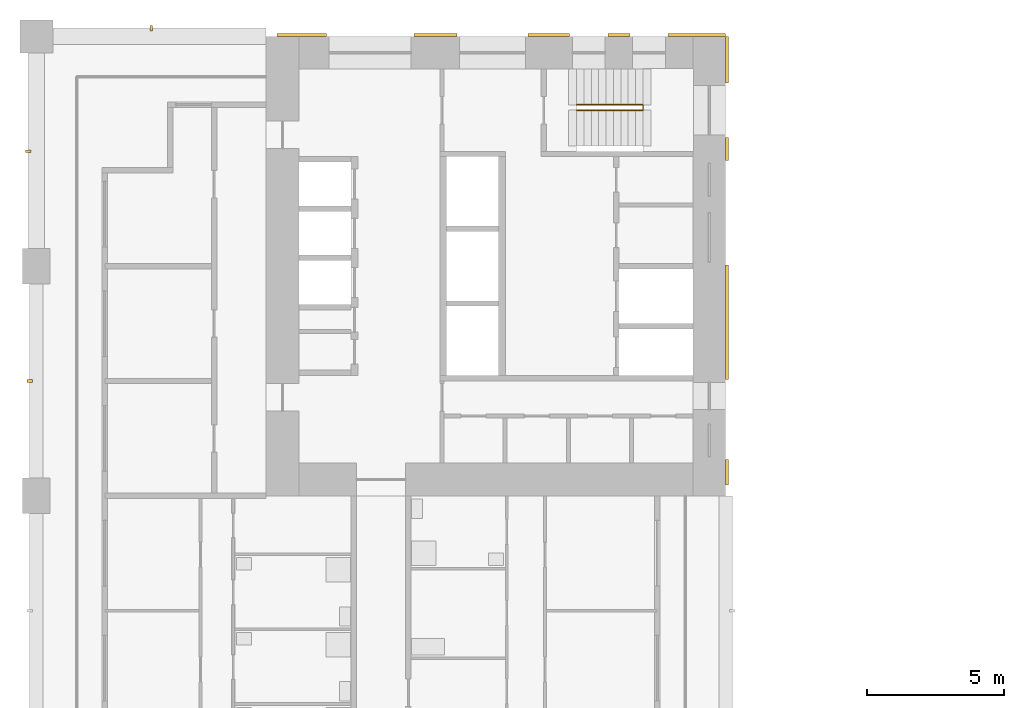
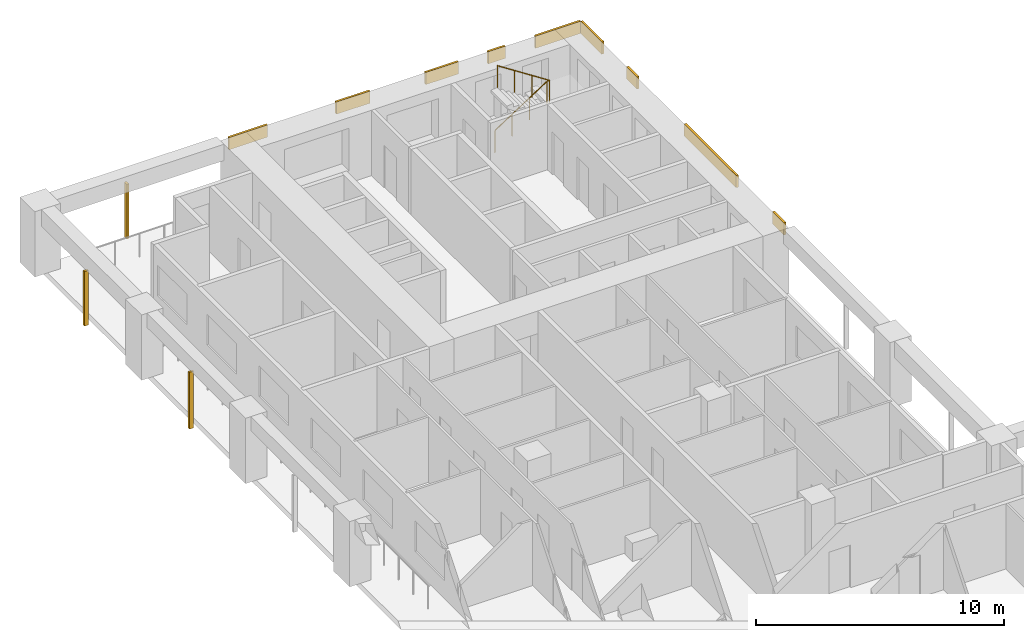
# One storey, part 15 of 17: 12 shading devices, 1 railing.
"""IFC4 building model written with IfcOpenShell, lengths in metres."""

from ifc_helpers import new_model, si_unit, direction, frame, origin, origin_2d, place, context, subcontext, project, spatial, rectangle, circle, extrude, material, layer, layer_set, material_profile, profile_set, type_object, element, save


model = new_model("IFC4")

# Units and contexts
model_context = context("Model", 3, precision=1e-05, world=origin(), true_north=direction((0.0, 1.0)))
body_context = subcontext(model_context, "Body", "Model", "MODEL_VIEW")
ifc_project = project(units=[si_unit("LENGTHUNIT", "METRE"), si_unit("AREAUNIT", "SQUARE_METRE"), si_unit("VOLUMEUNIT", "CUBIC_METRE"), si_unit("PLANEANGLEUNIT", "RADIAN"), si_unit("MASSUNIT", "GRAM", prefix="KILO")], contexts=[model_context])

# Site, building, storey
site_placement = place(None, origin())
site = spatial("IfcSite", under=ifc_project, at=site_placement, CompositionType="ELEMENT")
building_placement = place(site_placement, origin())
building = spatial("IfcBuilding", under=site, at=building_placement, Name="Vermilion Gate Residences", CompositionType="ELEMENT")
storey_placement = place(building_placement, frame((0.0, 0.0, 98.699951171875)))
storey = spatial("IfcBuildingStorey", under=building, at=storey_placement, Name="L24", CompositionType="ELEMENT", Elevation=98.699951171875)

# Railing
ifc_material_1 = material(Name="Steel S355", Category="steel")
railing_type = type_object("IfcRailingType", Name="STAIR GUARD 1100 STEEL", PredefinedType="GUARDRAIL", material=ifc_material_1)
railing_placement = place(storey_placement, frame((19.75, 56.300048828125, 0.175048828125)))
element("IfcRailing", 1, at=railing_placement, inside=storey, type_object=railing_type, Name="Stair well guard STB1-24", PredefinedType="GUARDRAIL", context=body_context, shape_type="SweptSolid", body=[
    extrude(circle(Radius=0.02392578125, at=origin_2d()), frame((0.0, 0.0, 1.076171875), z_axis=(0.839153699163, 0.0, 0.543894354798), x_axis=(0.0, 1.0, 0.0)), (0.0, 0.0, 1.0), 2.895751953125),
    extrude(circle(Radius=0.02392578125, at=origin_2d()), frame((2.429931640625, 0.0, 2.65087890625), z_axis=(0.0, -0.752405939678, 0.658699705433), x_axis=(1.0, 0.0, 0.0)), (0.0, 0.0, 1.0), 0.265869140625),
    extrude(circle(Radius=0.02392578125, at=origin_2d()), frame((2.429931640625, -0.199951171875, 2.826171875), z_axis=(-0.839153699163, 0.0, 0.543894354798), x_axis=(0.0, -1.0, 0.0)), (0.0, 0.0, 1.0), 2.895751953125),
    extrude(circle(Radius=0.02099609375, at=origin_2d()), origin(), (0.0, 0.0, 1.0), 1.052001953125),
    extrude(circle(Radius=0.02099609375, at=origin_2d()), frame((0.81005859375, 0.0, 0.52490234375)), (0.0, 0.0, 1.0), 1.052001953125),
    extrude(circle(Radius=0.02099609375, at=origin_2d()), frame((1.619873046875, 0.0, 1.050048828125)), (0.0, 0.0, 1.0), 1.052001953125),
    extrude(circle(Radius=0.02099609375, at=origin_2d()), frame((2.429931640625, 0.0, 1.574951171875)), (0.0, 0.0, 1.0), 1.052001953125),
    extrude(circle(Radius=0.02099609375, at=origin_2d()), frame((2.429931640625, -0.199951171875, 1.75)), (0.0, 0.0, 1.0), 1.052001953125),
    extrude(circle(Radius=0.02099609375, at=origin_2d()), frame((1.619873046875, -0.199951171875, 2.27490234375)), (0.0, 0.0, 1.0), 1.052001953125),
    extrude(circle(Radius=0.02099609375, at=origin_2d()), frame((0.81005859375, -0.199951171875, 2.800048828125)), (0.0, 0.0, 1.0), 1.052001953125),
    extrude(circle(Radius=0.02099609375, at=origin_2d()), frame((0.0, -0.199951171875, 3.324951171875)), (0.0, 0.0, 1.0), 1.052001953125),
])

# Shading devices
ifc_material_2 = material(Name="Extruded terracotta", Category="masonry")
ifc_material_profile = material_profile(ifc_material_2, rectangle(XDim=0.199951171875, YDim=0.10009765625, at=origin_2d()), Name="BAGUETTE 100 X 200")
ifc_profile_set = profile_set([ifc_material_profile], Name="Extruded terracotta")
shading_device_type_1 = type_object("IfcShadingDeviceType", Name="TERRACOTTA BAGUETTE 100 X 200", PredefinedType="JALOUSIE", material=ifc_profile_set)
shading_device_1_placement = place(storey_placement, frame((4.199951171875, 59.10009765625, -0.280029296875), z_axis=(0.0, 0.0, 1.0), x_axis=(0.0, -1.0, 0.0)))
element("IfcShadingDevice", 2, at=shading_device_1_placement, inside=storey, type_object=shading_device_type_1, Name="BAGUETTE", PredefinedType="JALOUSIE", context=body_context, shape_type="SweptSolid", body=[
    extrude(rectangle(XDim=0.199951171875, YDim=0.10009765625, at=origin_2d()), origin(), (0.0, 0.0, 1.0), 2.7001953125),
])
shading_device_2_placement = place(storey_placement, frame((-0.25, 46.199951171875, -0.280029296875), z_axis=(0.0, 0.0, 1.0), x_axis=(1.0, 0.0, 0.0)))
element("IfcShadingDevice", 3, at=shading_device_2_placement, inside=storey, type_object=shading_device_type_1, Name="BAGUETTE", PredefinedType="JALOUSIE", context=body_context, shape_type="SweptSolid", body=[
    extrude(rectangle(XDim=0.199951171875, YDim=0.10009765625, at=origin_2d()), origin(), (0.0, 0.0, 1.0), 2.800048828125),
])
shading_device_3_placement = place(storey_placement, frame((-0.300048828125, 54.60009765625, -0.280029296875), z_axis=(0.0, 0.0, 1.0), x_axis=(1.0, 0.0, 0.0)))
element("IfcShadingDevice", 4, at=shading_device_3_placement, inside=storey, type_object=shading_device_type_1, Name="BAGUETTE", PredefinedType="JALOUSIE", context=body_context, shape_type="SweptSolid", body=[
    extrude(rectangle(XDim=0.199951171875, YDim=0.10009765625, at=origin_2d()), origin(), (0.0, 0.0, 1.0), 2.7001953125),
])
ifc_material_3 = material(Name="Extruded terracotta", Category="masonry")
ifc_layer = layer(ifc_material_3, 0.10009765625)
ifc_layer_set = layer_set([ifc_layer], Name="TERRACOTTA SPANDREL BAND 600 X 100")
shading_device_type_2 = type_object("IfcShadingDeviceType", Name="TERRACOTTA SPANDREL BAND 600 X 100", PredefinedType="USERDEFINED", material=ifc_layer_set)
shading_device_4_placement = place(storey_placement, frame((9.702392578125, 58.85009765625, 2.6201171875), z_axis=(0.0, 0.0, 1.0), x_axis=(1.0, 0.0, 0.0)))
element("IfcShadingDevice", 5, at=shading_device_4_placement, inside=storey, type_object=shading_device_type_2, Name="SPANDREL BAND", ObjectType="BAND", PredefinedType="USERDEFINED", context=body_context, shape_type="SweptSolid", body=[
    extrude(rectangle(XDim=1.804931640625, YDim=0.10009765625, at=origin_2d()), origin(), (0.0, 0.0, 1.0), 0.60009765625),
])
shading_device_5_placement = place(storey_placement, frame((14.590087890625, 58.85009765625, 2.6201171875), z_axis=(0.0, 0.0, 1.0), x_axis=(1.0, 0.0, 0.0)))
element("IfcShadingDevice", 6, at=shading_device_5_placement, inside=storey, type_object=shading_device_type_2, Name="SPANDREL BAND", ObjectType="BAND", PredefinedType="USERDEFINED", context=body_context, shape_type="SweptSolid", body=[
    extrude(rectangle(XDim=1.570068359375, YDim=0.10009765625, at=origin_2d()), origin(), (0.0, 0.0, 1.0), 0.60009765625),
])
shading_device_6_placement = place(storey_placement, frame((18.734130859375, 58.85009765625, 2.6201171875), z_axis=(0.0, 0.0, 1.0), x_axis=(1.0, 0.0, 0.0)))
element("IfcShadingDevice", 7, at=shading_device_6_placement, inside=storey, type_object=shading_device_type_2, Name="SPANDREL BAND", ObjectType="BAND", PredefinedType="USERDEFINED", context=body_context, shape_type="SweptSolid", body=[
    extrude(rectangle(XDim=1.518310546875, YDim=0.10009765625, at=origin_2d()), origin(), (0.0, 0.0, 1.0), 0.60009765625),
])
shading_device_7_placement = place(storey_placement, frame((21.294921875, 58.85009765625, 2.6201171875), z_axis=(0.0, 0.0, 1.0), x_axis=(1.0, 0.0, 0.0)))
element("IfcShadingDevice", 8, at=shading_device_7_placement, inside=storey, type_object=shading_device_type_2, Name="SPANDREL BAND", ObjectType="BAND", PredefinedType="USERDEFINED", context=body_context, shape_type="SweptSolid", body=[
    extrude(rectangle(XDim=0.803466796875, YDim=0.10009765625, at=origin_2d()), origin(), (0.0, 0.0, 1.0), 0.60009765625),
])
shading_device_8_placement = place(storey_placement, frame((24.1484375, 58.85009765625, 2.6201171875), z_axis=(0.0, 0.0, 1.0), x_axis=(1.0, 0.0, 0.0)))
element("IfcShadingDevice", 9, at=shading_device_8_placement, inside=storey, type_object=shading_device_type_2, Name="SPANDREL BAND", ObjectType="BAND", PredefinedType="USERDEFINED", context=body_context, shape_type="SweptSolid", body=[
    extrude(rectangle(XDim=2.103271484375, YDim=0.10009765625, at=origin_2d()), origin(), (0.0, 0.0, 1.0), 0.60009765625),
])
shading_device_9_placement = place(storey_placement, frame((25.25, 42.862548828125, 2.6201171875), z_axis=(0.0, 0.0, 1.0), x_axis=(0.0, 1.0, 0.0)))
element("IfcShadingDevice", 10, at=shading_device_9_placement, inside=storey, type_object=shading_device_type_2, Name="SPANDREL BAND", ObjectType="BAND", PredefinedType="USERDEFINED", context=body_context, shape_type="SweptSolid", body=[
    extrude(rectangle(XDim=0.925048828125, YDim=0.10009765625, at=origin_2d()), origin(), (0.0, 0.0, 1.0), 0.60009765625),
])
shading_device_10_placement = place(storey_placement, frame((25.25, 48.35009765625, 2.6201171875), z_axis=(0.0, 0.0, 1.0), x_axis=(0.0, 1.0, 0.0)))
element("IfcShadingDevice", 11, at=shading_device_10_placement, inside=storey, type_object=shading_device_type_2, Name="SPANDREL BAND", ObjectType="BAND", PredefinedType="USERDEFINED", context=body_context, shape_type="SweptSolid", body=[
    extrude(rectangle(XDim=4.199951171875, YDim=0.10009765625, at=origin_2d()), origin(), (0.0, 0.0, 1.0), 0.60009765625),
])
shading_device_11_placement = place(storey_placement, frame((25.25, 54.67822265625, 2.6201171875), z_axis=(0.0, 0.0, 1.0), x_axis=(0.0, 1.0, 0.0)))
element("IfcShadingDevice", 12, at=shading_device_11_placement, inside=storey, type_object=shading_device_type_2, Name="SPANDREL BAND", ObjectType="BAND", PredefinedType="USERDEFINED", context=body_context, shape_type="SweptSolid", body=[
    extrude(rectangle(XDim=0.84375, YDim=0.10009765625, at=origin_2d()), origin(), (0.0, 0.0, 1.0), 0.60009765625),
])
shading_device_12_placement = place(storey_placement, frame((25.25, 57.949951171875, 2.6201171875), z_axis=(0.0, 0.0, 1.0), x_axis=(0.0, 1.0, 0.0)))
element("IfcShadingDevice", 13, at=shading_device_12_placement, inside=storey, type_object=shading_device_type_2, Name="SPANDREL BAND", ObjectType="BAND", PredefinedType="USERDEFINED", context=body_context, shape_type="SweptSolid", body=[
    extrude(rectangle(XDim=1.699951171875, YDim=0.10009765625, at=origin_2d()), origin(), (0.0, 0.0, 1.0), 0.60009765625),
])

save(model, "model.ifc")
